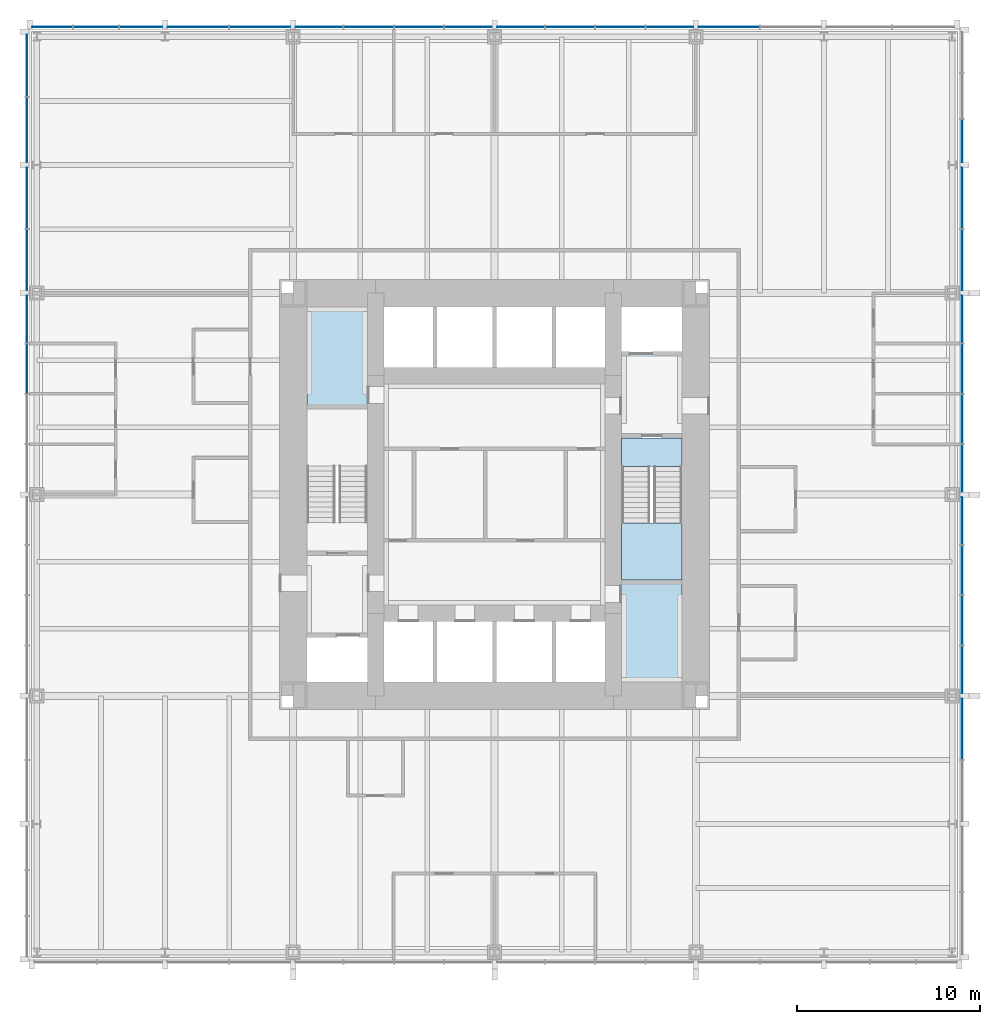
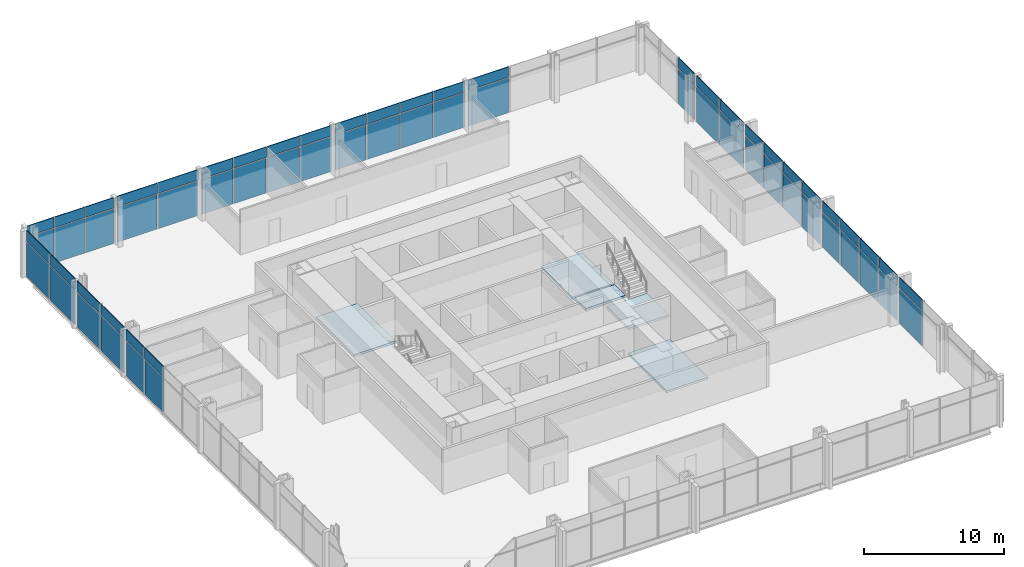
# One storey, part 8 of 12: 64 plates, 5 slabs, 4 elements without a shape of their own.
"""IFC4 building model written with IfcOpenShell, lengths in metres."""

from ifc_helpers import new_model, si_unit, direction, frame, origin, origin_2d, place, context, subcontext, project, spatial, polyline, rectangle, outline, extrude, material, layer, layer_set, type_object, element, aggregate, save


model = new_model("IFC4")

# Units and contexts
model_context = context("Model", 3, precision=1e-05, world=origin(), true_north=direction((0.0, 1.0)))
body_context = subcontext(model_context, "Body", "Model", "MODEL_VIEW")
ifc_project = project(units=[si_unit("LENGTHUNIT", "METRE"), si_unit("AREAUNIT", "SQUARE_METRE"), si_unit("VOLUMEUNIT", "CUBIC_METRE"), si_unit("PLANEANGLEUNIT", "RADIAN"), si_unit("MASSUNIT", "GRAM", prefix="KILO")], contexts=[model_context])

# Site, building, storey
site_placement = place(None, origin())
site = spatial("IfcSite", under=ifc_project, at=site_placement, CompositionType="ELEMENT")
building_placement = place(site_placement, origin())
building = spatial("IfcBuilding", under=site, at=building_placement, Name="Trevanion Tower", CompositionType="ELEMENT")
storey_placement = place(building_placement, frame((0.0, 0.0, 57.0)))
storey = spatial("IfcBuildingStorey", under=building, at=storey_placement, Name="L13", CompositionType="ELEMENT", Elevation=57.0)

# Curtain wall, plates
ifc_material_1 = material(Name="Aluminium and glass", Category="aluminium")
curtain_wall_type = type_object("IfcCurtainWallType", Name="CW1 curtain wall", PredefinedType="USERDEFINED", material=ifc_material_1)
curtain_wall_1_placement = place(storey_placement, origin())
curtain_wall_1 = element("IfcCurtainWall", 1, at=curtain_wall_1_placement, inside=storey, type_object=curtain_wall_type, Name="CW1 L13 0", ObjectType="UNITISED CURTAIN WALL", PredefinedType="USERDEFINED")
ifc_material_2 = material(Name="Aluminium spandrel panel", Category="aluminium")
ifc_layer_1 = layer(ifc_material_2, 0.06005859375)
ifc_layer_set_1 = layer_set([ifc_layer_1], Name="CW1 spandrel panel")
plate_type_1 = type_object("IfcPlateType", Name="CW1 spandrel panel", PredefinedType="CURTAIN_PANEL", material=ifc_layer_set_1)
plate_1_placement = place(storey_placement, frame((25.550048828125, -12.806396484375, 2.997314453125), z_axis=(0.0, 0.0, 1.0), x_axis=(0.0, 1.0, 0.0)))
plate_1 = element("IfcPlate", 2, at=plate_1_placement, type_object=plate_type_1, Name="CW1 panel 4.2", PredefinedType="CURTAIN_PANEL", context=body_context, shape_type="SweptSolid", body=[
    extrude(rectangle(XDim=3.3125, YDim=0.06005859375, at=origin_2d()), origin(), (0.0, 0.0, 1.0), 0.91259765625),
])
plate_2_placement = place(storey_placement, frame((25.550048828125, -9.56884765625, 2.997314453125), z_axis=(0.0, 0.0, 1.0), x_axis=(0.0, 1.0, 0.0)))
plate_2 = element("IfcPlate", 3, at=plate_2_placement, type_object=plate_type_1, Name="CW1 panel 5.2", PredefinedType="CURTAIN_PANEL", context=body_context, shape_type="SweptSolid", body=[
    extrude(rectangle(XDim=2.5625, YDim=0.06005859375, at=origin_2d()), origin(), (0.0, 0.0, 1.0), 0.91259765625),
])
plate_3_placement = place(storey_placement, frame((25.550048828125, -6.875, 2.997314453125), z_axis=(0.0, 0.0, 1.0), x_axis=(0.0, 1.0, 0.0)))
plate_3 = element("IfcPlate", 4, at=plate_3_placement, type_object=plate_type_1, Name="CW1 panel 6.2", PredefinedType="CURTAIN_PANEL", context=body_context, shape_type="SweptSolid", body=[
    extrude(rectangle(XDim=2.675048828125, YDim=0.06005859375, at=origin_2d()), origin(), (0.0, 0.0, 1.0), 0.91259765625),
])
plate_4_placement = place(storey_placement, frame((25.550048828125, -4.125, 2.997314453125), z_axis=(0.0, 0.0, 1.0), x_axis=(0.0, 1.0, 0.0)))
plate_4 = element("IfcPlate", 5, at=plate_4_placement, type_object=plate_type_1, Name="CW1 panel 7.2", PredefinedType="CURTAIN_PANEL", context=body_context, shape_type="SweptSolid", body=[
    extrude(rectangle(XDim=2.675048828125, YDim=0.06005859375, at=origin_2d()), origin(), (0.0, 0.0, 1.0), 0.91259765625),
])
plate_5_placement = place(storey_placement, frame((25.550048828125, -1.43115234375, 2.997314453125), z_axis=(0.0, 0.0, 1.0), x_axis=(0.0, 1.0, 0.0)))
plate_5 = element("IfcPlate", 6, at=plate_5_placement, type_object=plate_type_1, Name="CW1 panel 8.2", PredefinedType="CURTAIN_PANEL", context=body_context, shape_type="SweptSolid", body=[
    extrude(rectangle(XDim=2.5625, YDim=0.06005859375, at=origin_2d()), origin(), (0.0, 0.0, 1.0), 0.91259765625),
])
plate_6_placement = place(storey_placement, frame((25.550048828125, 1.43115234375, 2.997314453125), z_axis=(0.0, 0.0, 1.0), x_axis=(0.0, 1.0, 0.0)))
plate_6 = element("IfcPlate", 7, at=plate_6_placement, type_object=plate_type_1, Name="CW1 panel 9.2", PredefinedType="CURTAIN_PANEL", context=body_context, shape_type="SweptSolid", body=[
    extrude(rectangle(XDim=2.5625, YDim=0.06005859375, at=origin_2d()), origin(), (0.0, 0.0, 1.0), 0.91259765625),
])
plate_7_placement = place(storey_placement, frame((25.550048828125, 4.125, 2.997314453125), z_axis=(0.0, 0.0, 1.0), x_axis=(0.0, 1.0, 0.0)))
plate_7 = element("IfcPlate", 8, at=plate_7_placement, type_object=plate_type_1, Name="CW1 panel 10.2", PredefinedType="CURTAIN_PANEL", context=body_context, shape_type="SweptSolid", body=[
    extrude(rectangle(XDim=2.675048828125, YDim=0.06005859375, at=origin_2d()), origin(), (0.0, 0.0, 1.0), 0.91259765625),
])
plate_8_placement = place(storey_placement, frame((25.550048828125, 6.875, 2.997314453125), z_axis=(0.0, 0.0, 1.0), x_axis=(0.0, 1.0, 0.0)))
plate_8 = element("IfcPlate", 9, at=plate_8_placement, type_object=plate_type_1, Name="CW1 panel 11.2", PredefinedType="CURTAIN_PANEL", context=body_context, shape_type="SweptSolid", body=[
    extrude(rectangle(XDim=2.675048828125, YDim=0.06005859375, at=origin_2d()), origin(), (0.0, 0.0, 1.0), 0.91259765625),
])
plate_9_placement = place(storey_placement, frame((25.550048828125, 9.56884765625, 2.997314453125), z_axis=(0.0, 0.0, 1.0), x_axis=(0.0, 1.0, 0.0)))
plate_9 = element("IfcPlate", 10, at=plate_9_placement, type_object=plate_type_1, Name="CW1 panel 12.2", PredefinedType="CURTAIN_PANEL", context=body_context, shape_type="SweptSolid", body=[
    extrude(rectangle(XDim=2.5625, YDim=0.06005859375, at=origin_2d()), origin(), (0.0, 0.0, 1.0), 0.91259765625),
])
plate_10_placement = place(storey_placement, frame((25.550048828125, 12.80615234375, 2.997314453125), z_axis=(0.0, 0.0, 1.0), x_axis=(0.0, 1.0, 0.0)))
plate_10 = element("IfcPlate", 11, at=plate_10_placement, type_object=plate_type_1, Name="CW1 panel 13.2", PredefinedType="CURTAIN_PANEL", context=body_context, shape_type="SweptSolid", body=[
    extrude(rectangle(XDim=3.3125, YDim=0.06005859375, at=origin_2d()), origin(), (0.0, 0.0, 1.0), 0.91259765625),
])
plate_11_placement = place(storey_placement, frame((25.550048828125, 16.19384765625, 2.997314453125), z_axis=(0.0, 0.0, 1.0), x_axis=(0.0, 1.0, 0.0)))
plate_11 = element("IfcPlate", 12, at=plate_11_placement, type_object=plate_type_1, Name="CW1 panel 14.2", PredefinedType="CURTAIN_PANEL", context=body_context, shape_type="SweptSolid", body=[
    extrude(rectangle(XDim=3.3125, YDim=0.06005859375, at=origin_2d()), origin(), (0.0, 0.0, 1.0), 0.91259765625),
])
plate_12_placement = place(storey_placement, frame((25.550048828125, 19.314697265625, 2.997314453125), z_axis=(0.0, 0.0, 1.0), x_axis=(0.0, 1.0, 0.0)))
plate_12 = element("IfcPlate", 13, at=plate_12_placement, type_object=plate_type_1, Name="CW1 panel 15.2", PredefinedType="CURTAIN_PANEL", context=body_context, shape_type="SweptSolid", body=[
    extrude(rectangle(XDim=2.3291015625, YDim=0.06005859375, at=origin_2d()), origin(), (0.0, 0.0, 1.0), 0.91259765625),
])

curtain_wall_2_placement = place(storey_placement, origin())
curtain_wall_2 = element("IfcCurtainWall", 14, at=curtain_wall_2_placement, inside=storey, type_object=curtain_wall_type, Name="CW1 L13 1", ObjectType="UNITISED CURTAIN WALL", PredefinedType="USERDEFINED")
plate_13_placement = place(storey_placement, frame((12.806396484375, 25.550048828125, 2.997314453125), z_axis=(0.0, 0.0, 1.0), x_axis=(-1.0, 0.0, 0.0)))
plate_13 = element("IfcPlate", 15, at=plate_13_placement, type_object=plate_type_1, Name="CW1 panel 4.2", PredefinedType="CURTAIN_PANEL", context=body_context, shape_type="SweptSolid", body=[
    extrude(rectangle(XDim=3.3125, YDim=0.06005859375, at=origin_2d()), origin(), (0.0, 0.0, 1.0), 0.91259765625),
])
plate_14_placement = place(storey_placement, frame((9.56884765625, 25.550048828125, 2.997314453125), z_axis=(0.0, 0.0, 1.0), x_axis=(-1.0, 0.0, 0.0)))
plate_14 = element("IfcPlate", 16, at=plate_14_placement, type_object=plate_type_1, Name="CW1 panel 5.2", PredefinedType="CURTAIN_PANEL", context=body_context, shape_type="SweptSolid", body=[
    extrude(rectangle(XDim=2.5625, YDim=0.06005859375, at=origin_2d()), origin(), (0.0, 0.0, 1.0), 0.91259765625),
])
plate_15_placement = place(storey_placement, frame((6.875, 25.550048828125, 2.997314453125), z_axis=(0.0, 0.0, 1.0), x_axis=(-1.0, 0.0, 0.0)))
plate_15 = element("IfcPlate", 17, at=plate_15_placement, type_object=plate_type_1, Name="CW1 panel 6.2", PredefinedType="CURTAIN_PANEL", context=body_context, shape_type="SweptSolid", body=[
    extrude(rectangle(XDim=2.675048828125, YDim=0.06005859375, at=origin_2d()), origin(), (0.0, 0.0, 1.0), 0.91259765625),
])
plate_16_placement = place(storey_placement, frame((4.125, 25.550048828125, 2.997314453125), z_axis=(0.0, 0.0, 1.0), x_axis=(-1.0, 0.0, 0.0)))
plate_16 = element("IfcPlate", 18, at=plate_16_placement, type_object=plate_type_1, Name="CW1 panel 7.2", PredefinedType="CURTAIN_PANEL", context=body_context, shape_type="SweptSolid", body=[
    extrude(rectangle(XDim=2.675048828125, YDim=0.06005859375, at=origin_2d()), origin(), (0.0, 0.0, 1.0), 0.91259765625),
])
plate_17_placement = place(storey_placement, frame((1.43115234375, 25.550048828125, 2.997314453125), z_axis=(0.0, 0.0, 1.0), x_axis=(-1.0, 0.0, 0.0)))
plate_17 = element("IfcPlate", 19, at=plate_17_placement, type_object=plate_type_1, Name="CW1 panel 8.2", PredefinedType="CURTAIN_PANEL", context=body_context, shape_type="SweptSolid", body=[
    extrude(rectangle(XDim=2.5625, YDim=0.06005859375, at=origin_2d()), origin(), (0.0, 0.0, 1.0), 0.91259765625),
])
plate_18_placement = place(storey_placement, frame((-1.43115234375, 25.550048828125, 2.997314453125), z_axis=(0.0, 0.0, 1.0), x_axis=(-1.0, 0.0, 0.0)))
plate_18 = element("IfcPlate", 20, at=plate_18_placement, type_object=plate_type_1, Name="CW1 panel 9.2", PredefinedType="CURTAIN_PANEL", context=body_context, shape_type="SweptSolid", body=[
    extrude(rectangle(XDim=2.5625, YDim=0.06005859375, at=origin_2d()), origin(), (0.0, 0.0, 1.0), 0.91259765625),
])
plate_19_placement = place(storey_placement, frame((-4.125, 25.550048828125, 2.997314453125), z_axis=(0.0, 0.0, 1.0), x_axis=(-1.0, 0.0, 0.0)))
plate_19 = element("IfcPlate", 21, at=plate_19_placement, type_object=plate_type_1, Name="CW1 panel 10.2", PredefinedType="CURTAIN_PANEL", context=body_context, shape_type="SweptSolid", body=[
    extrude(rectangle(XDim=2.675048828125, YDim=0.06005859375, at=origin_2d()), origin(), (0.0, 0.0, 1.0), 0.91259765625),
])
plate_20_placement = place(storey_placement, frame((-6.875, 25.550048828125, 2.997314453125), z_axis=(0.0, 0.0, 1.0), x_axis=(-1.0, 0.0, 0.0)))
plate_20 = element("IfcPlate", 22, at=plate_20_placement, type_object=plate_type_1, Name="CW1 panel 11.2", PredefinedType="CURTAIN_PANEL", context=body_context, shape_type="SweptSolid", body=[
    extrude(rectangle(XDim=2.675048828125, YDim=0.06005859375, at=origin_2d()), origin(), (0.0, 0.0, 1.0), 0.91259765625),
])
plate_21_placement = place(storey_placement, frame((-9.56884765625, 25.550048828125, 2.997314453125), z_axis=(0.0, 0.0, 1.0), x_axis=(-1.0, 0.0, 0.0)))
plate_21 = element("IfcPlate", 23, at=plate_21_placement, type_object=plate_type_1, Name="CW1 panel 12.2", PredefinedType="CURTAIN_PANEL", context=body_context, shape_type="SweptSolid", body=[
    extrude(rectangle(XDim=2.5625, YDim=0.06005859375, at=origin_2d()), origin(), (0.0, 0.0, 1.0), 0.91259765625),
])
plate_22_placement = place(storey_placement, frame((-12.80615234375, 25.550048828125, 2.997314453125), z_axis=(0.0, 0.0, 1.0), x_axis=(-1.0, 0.0, 0.0)))
plate_22 = element("IfcPlate", 24, at=plate_22_placement, type_object=plate_type_1, Name="CW1 panel 13.2", PredefinedType="CURTAIN_PANEL", context=body_context, shape_type="SweptSolid", body=[
    extrude(rectangle(XDim=3.3125, YDim=0.06005859375, at=origin_2d()), origin(), (0.0, 0.0, 1.0), 0.91259765625),
])
plate_23_placement = place(storey_placement, frame((-16.19384765625, 25.550048828125, 2.997314453125), z_axis=(0.0, 0.0, 1.0), x_axis=(-1.0, 0.0, 0.0)))
plate_23 = element("IfcPlate", 25, at=plate_23_placement, type_object=plate_type_1, Name="CW1 panel 14.2", PredefinedType="CURTAIN_PANEL", context=body_context, shape_type="SweptSolid", body=[
    extrude(rectangle(XDim=3.3125, YDim=0.06005859375, at=origin_2d()), origin(), (0.0, 0.0, 1.0), 0.91259765625),
])
plate_24_placement = place(storey_placement, frame((-19.314697265625, 25.550048828125, 2.997314453125), z_axis=(0.0, 0.0, 1.0), x_axis=(-1.0, 0.0, 0.0)))
plate_24 = element("IfcPlate", 26, at=plate_24_placement, type_object=plate_type_1, Name="CW1 panel 15.2", PredefinedType="CURTAIN_PANEL", context=body_context, shape_type="SweptSolid", body=[
    extrude(rectangle(XDim=2.3291015625, YDim=0.06005859375, at=origin_2d()), origin(), (0.0, 0.0, 1.0), 0.91259765625),
])
plate_25_placement = place(storey_placement, frame((-21.77490234375, 25.550048828125, 2.997314453125), z_axis=(0.0, 0.0, 1.0), x_axis=(-1.0, 0.0, 0.0)))
plate_25 = element("IfcPlate", 27, at=plate_25_placement, type_object=plate_type_1, Name="CW1 panel 16.2", PredefinedType="CURTAIN_PANEL", context=body_context, shape_type="SweptSolid", body=[
    extrude(rectangle(XDim=2.441650390625, YDim=0.06005859375, at=origin_2d()), origin(), (0.0, 0.0, 1.0), 0.91259765625),
])
plate_26_placement = place(storey_placement, frame((-24.160400390625, 25.550048828125, 2.997314453125), z_axis=(0.0, 0.0, 1.0), x_axis=(-1.0, 0.0, 0.0)))
plate_26 = element("IfcPlate", 28, at=plate_26_placement, type_object=plate_type_1, Name="CW1 panel 17.2", PredefinedType="CURTAIN_PANEL", context=body_context, shape_type="SweptSolid", body=[
    extrude(rectangle(XDim=2.17919921875, YDim=0.06005859375, at=origin_2d()), origin(), (0.0, 0.0, 1.0), 0.91259765625),
])

curtain_wall_3_placement = place(storey_placement, origin())
curtain_wall_3 = element("IfcCurtainWall", 29, at=curtain_wall_3_placement, inside=storey, type_object=curtain_wall_type, Name="CW1 L13 2", ObjectType="UNITISED CURTAIN WALL", PredefinedType="USERDEFINED")
plate_27_placement = place(storey_placement, frame((-25.550048828125, 23.433837890625, 2.997314453125), z_axis=(0.0, 0.0, 1.0), x_axis=(0.0, -1.0, 0.0)))
plate_27 = element("IfcPlate", 30, at=plate_27_placement, type_object=plate_type_1, Name="CW1 panel 1.2", PredefinedType="CURTAIN_PANEL", context=body_context, shape_type="SweptSolid", body=[
    extrude(rectangle(XDim=3.37255859375, YDim=0.06005859375, at=origin_2d()), origin(), (0.0, 0.0, 1.0), 0.91259765625),
])
plate_28_placement = place(storey_placement, frame((-25.550048828125, 19.911376953125, 2.997314453125), z_axis=(0.0, 0.0, 1.0), x_axis=(0.0, -1.0, 0.0)))
plate_28 = element("IfcPlate", 31, at=plate_28_placement, type_object=plate_type_1, Name="CW1 panel 2.2", PredefinedType="CURTAIN_PANEL", context=body_context, shape_type="SweptSolid", body=[
    extrude(rectangle(XDim=3.5224609375, YDim=0.06005859375, at=origin_2d()), origin(), (0.0, 0.0, 1.0), 0.91259765625),
])
plate_29_placement = place(storey_placement, frame((-25.550048828125, 16.19384765625, 2.997314453125), z_axis=(0.0, 0.0, 1.0), x_axis=(0.0, -1.0, 0.0)))
plate_29 = element("IfcPlate", 32, at=plate_29_placement, type_object=plate_type_1, Name="CW1 panel 3.2", PredefinedType="CURTAIN_PANEL", context=body_context, shape_type="SweptSolid", body=[
    extrude(rectangle(XDim=3.3125, YDim=0.06005859375, at=origin_2d()), origin(), (0.0, 0.0, 1.0), 0.91259765625),
])
plate_30_placement = place(storey_placement, frame((-25.550048828125, 12.806396484375, 2.997314453125), z_axis=(0.0, 0.0, 1.0), x_axis=(0.0, -1.0, 0.0)))
plate_30 = element("IfcPlate", 33, at=plate_30_placement, type_object=plate_type_1, Name="CW1 panel 4.2", PredefinedType="CURTAIN_PANEL", context=body_context, shape_type="SweptSolid", body=[
    extrude(rectangle(XDim=3.3125, YDim=0.06005859375, at=origin_2d()), origin(), (0.0, 0.0, 1.0), 0.91259765625),
])
plate_31_placement = place(storey_placement, frame((-25.550048828125, 9.56884765625, 2.997314453125), z_axis=(0.0, 0.0, 1.0), x_axis=(0.0, -1.0, 0.0)))
plate_31 = element("IfcPlate", 34, at=plate_31_placement, type_object=plate_type_1, Name="CW1 panel 5.2", PredefinedType="CURTAIN_PANEL", context=body_context, shape_type="SweptSolid", body=[
    extrude(rectangle(XDim=2.5625, YDim=0.06005859375, at=origin_2d()), origin(), (0.0, 0.0, 1.0), 0.91259765625),
])
plate_32_placement = place(storey_placement, frame((-25.550048828125, 6.875, 2.997314453125), z_axis=(0.0, 0.0, 1.0), x_axis=(0.0, -1.0, 0.0)))
plate_32 = element("IfcPlate", 35, at=plate_32_placement, type_object=plate_type_1, Name="CW1 panel 6.2", PredefinedType="CURTAIN_PANEL", context=body_context, shape_type="SweptSolid", body=[
    extrude(rectangle(XDim=2.675048828125, YDim=0.06005859375, at=origin_2d()), origin(), (0.0, 0.0, 1.0), 0.91259765625),
])

# Plate
ifc_material_3 = material(Name="Insulating glass unit", Category="glass")
ifc_layer_2 = layer(ifc_material_3, 0.028076171875)
ifc_layer_set_2 = layer_set([ifc_layer_2], Name="CW1 vision panel")
plate_type_2 = type_object("IfcPlateType", Name="CW1 vision panel", PredefinedType="CURTAIN_PANEL", material=ifc_layer_set_2)
plate_33_placement = place(storey_placement, frame((25.550048828125, -12.806396484375, -0.114990234375), z_axis=(0.0, 0.0, 1.0), x_axis=(0.0, 1.0, 0.0)))
plate_33 = element("IfcPlate", 36, at=plate_33_placement, type_object=plate_type_2, Name="CW1 panel 4.1", PredefinedType="CURTAIN_PANEL", context=body_context, shape_type="SweptSolid", body=[
    extrude(rectangle(XDim=3.3125, YDim=0.028076171875, at=origin_2d()), origin(), (0.0, 0.0, 1.0), 3.03759765625),
])

plate_34_placement = place(storey_placement, frame((25.550048828125, -9.56884765625, -0.114990234375), z_axis=(0.0, 0.0, 1.0), x_axis=(0.0, 1.0, 0.0)))
plate_34 = element("IfcPlate", 37, at=plate_34_placement, type_object=plate_type_2, Name="CW1 panel 5.1", PredefinedType="CURTAIN_PANEL", context=body_context, shape_type="SweptSolid", body=[
    extrude(rectangle(XDim=2.5625, YDim=0.028076171875, at=origin_2d()), origin(), (0.0, 0.0, 1.0), 3.03759765625),
])

plate_35_placement = place(storey_placement, frame((25.550048828125, -6.875, -0.114990234375), z_axis=(0.0, 0.0, 1.0), x_axis=(0.0, 1.0, 0.0)))
plate_35 = element("IfcPlate", 38, at=plate_35_placement, type_object=plate_type_2, Name="CW1 panel 6.1", PredefinedType="CURTAIN_PANEL", context=body_context, shape_type="SweptSolid", body=[
    extrude(rectangle(XDim=2.675048828125, YDim=0.028076171875, at=origin_2d()), origin(), (0.0, 0.0, 1.0), 3.03759765625),
])

plate_36_placement = place(storey_placement, frame((25.550048828125, -4.125, -0.114990234375), z_axis=(0.0, 0.0, 1.0), x_axis=(0.0, 1.0, 0.0)))
plate_36 = element("IfcPlate", 39, at=plate_36_placement, type_object=plate_type_2, Name="CW1 panel 7.1", PredefinedType="CURTAIN_PANEL", context=body_context, shape_type="SweptSolid", body=[
    extrude(rectangle(XDim=2.675048828125, YDim=0.028076171875, at=origin_2d()), origin(), (0.0, 0.0, 1.0), 3.03759765625),
])

plate_37_placement = place(storey_placement, frame((25.550048828125, -1.43115234375, -0.114990234375), z_axis=(0.0, 0.0, 1.0), x_axis=(0.0, 1.0, 0.0)))
plate_37 = element("IfcPlate", 40, at=plate_37_placement, type_object=plate_type_2, Name="CW1 panel 8.1", PredefinedType="CURTAIN_PANEL", context=body_context, shape_type="SweptSolid", body=[
    extrude(rectangle(XDim=2.5625, YDim=0.028076171875, at=origin_2d()), origin(), (0.0, 0.0, 1.0), 3.03759765625),
])

plate_38_placement = place(storey_placement, frame((25.550048828125, 1.43115234375, -0.114990234375), z_axis=(0.0, 0.0, 1.0), x_axis=(0.0, 1.0, 0.0)))
plate_38 = element("IfcPlate", 41, at=plate_38_placement, type_object=plate_type_2, Name="CW1 panel 9.1", PredefinedType="CURTAIN_PANEL", context=body_context, shape_type="SweptSolid", body=[
    extrude(rectangle(XDim=2.5625, YDim=0.028076171875, at=origin_2d()), origin(), (0.0, 0.0, 1.0), 3.03759765625),
])

plate_39_placement = place(storey_placement, frame((25.550048828125, 4.125, -0.114990234375), z_axis=(0.0, 0.0, 1.0), x_axis=(0.0, 1.0, 0.0)))
plate_39 = element("IfcPlate", 42, at=plate_39_placement, type_object=plate_type_2, Name="CW1 panel 10.1", PredefinedType="CURTAIN_PANEL", context=body_context, shape_type="SweptSolid", body=[
    extrude(rectangle(XDim=2.675048828125, YDim=0.028076171875, at=origin_2d()), origin(), (0.0, 0.0, 1.0), 3.03759765625),
])

plate_40_placement = place(storey_placement, frame((25.550048828125, 6.875, -0.114990234375), z_axis=(0.0, 0.0, 1.0), x_axis=(0.0, 1.0, 0.0)))
plate_40 = element("IfcPlate", 43, at=plate_40_placement, type_object=plate_type_2, Name="CW1 panel 11.1", PredefinedType="CURTAIN_PANEL", context=body_context, shape_type="SweptSolid", body=[
    extrude(rectangle(XDim=2.675048828125, YDim=0.028076171875, at=origin_2d()), origin(), (0.0, 0.0, 1.0), 3.03759765625),
])

plate_41_placement = place(storey_placement, frame((25.550048828125, 9.56884765625, -0.114990234375), z_axis=(0.0, 0.0, 1.0), x_axis=(0.0, 1.0, 0.0)))
plate_41 = element("IfcPlate", 44, at=plate_41_placement, type_object=plate_type_2, Name="CW1 panel 12.1", PredefinedType="CURTAIN_PANEL", context=body_context, shape_type="SweptSolid", body=[
    extrude(rectangle(XDim=2.5625, YDim=0.028076171875, at=origin_2d()), origin(), (0.0, 0.0, 1.0), 3.03759765625),
])

plate_42_placement = place(storey_placement, frame((25.550048828125, 12.80615234375, -0.114990234375), z_axis=(0.0, 0.0, 1.0), x_axis=(0.0, 1.0, 0.0)))
plate_42 = element("IfcPlate", 45, at=plate_42_placement, type_object=plate_type_2, Name="CW1 panel 13.1", PredefinedType="CURTAIN_PANEL", context=body_context, shape_type="SweptSolid", body=[
    extrude(rectangle(XDim=3.3125, YDim=0.028076171875, at=origin_2d()), origin(), (0.0, 0.0, 1.0), 3.03759765625),
])

plate_43_placement = place(storey_placement, frame((25.550048828125, 16.19384765625, -0.114990234375), z_axis=(0.0, 0.0, 1.0), x_axis=(0.0, 1.0, 0.0)))
plate_43 = element("IfcPlate", 46, at=plate_43_placement, type_object=plate_type_2, Name="CW1 panel 14.1", PredefinedType="CURTAIN_PANEL", context=body_context, shape_type="SweptSolid", body=[
    extrude(rectangle(XDim=3.3125, YDim=0.028076171875, at=origin_2d()), origin(), (0.0, 0.0, 1.0), 3.03759765625),
])

plate_44_placement = place(storey_placement, frame((25.550048828125, 19.314697265625, -0.114990234375), z_axis=(0.0, 0.0, 1.0), x_axis=(0.0, 1.0, 0.0)))
plate_44 = element("IfcPlate", 47, at=plate_44_placement, type_object=plate_type_2, Name="CW1 panel 15.1", PredefinedType="CURTAIN_PANEL", context=body_context, shape_type="SweptSolid", body=[
    extrude(rectangle(XDim=2.3291015625, YDim=0.028076171875, at=origin_2d()), origin(), (0.0, 0.0, 1.0), 3.03759765625),
])

aggregate(curtain_wall_1, [plate_33, plate_1, plate_34, plate_2, plate_35, plate_3, plate_36, plate_4, plate_37, plate_5, plate_38, plate_6, plate_39, plate_7, plate_40, plate_8, plate_41, plate_9, plate_42, plate_10, plate_43, plate_11, plate_44, plate_12])

plate_45_placement = place(storey_placement, frame((12.806396484375, 25.550048828125, -0.114990234375), z_axis=(0.0, 0.0, 1.0), x_axis=(-1.0, 0.0, 0.0)))
plate_45 = element("IfcPlate", 48, at=plate_45_placement, type_object=plate_type_2, Name="CW1 panel 4.1", PredefinedType="CURTAIN_PANEL", context=body_context, shape_type="SweptSolid", body=[
    extrude(rectangle(XDim=3.3125, YDim=0.028076171875, at=origin_2d()), origin(), (0.0, 0.0, 1.0), 3.03759765625),
])

plate_46_placement = place(storey_placement, frame((9.56884765625, 25.550048828125, -0.114990234375), z_axis=(0.0, 0.0, 1.0), x_axis=(-1.0, 0.0, 0.0)))
plate_46 = element("IfcPlate", 49, at=plate_46_placement, type_object=plate_type_2, Name="CW1 panel 5.1", PredefinedType="CURTAIN_PANEL", context=body_context, shape_type="SweptSolid", body=[
    extrude(rectangle(XDim=2.5625, YDim=0.028076171875, at=origin_2d()), origin(), (0.0, 0.0, 1.0), 3.03759765625),
])

plate_47_placement = place(storey_placement, frame((6.875, 25.550048828125, -0.114990234375), z_axis=(0.0, 0.0, 1.0), x_axis=(-1.0, 0.0, 0.0)))
plate_47 = element("IfcPlate", 50, at=plate_47_placement, type_object=plate_type_2, Name="CW1 panel 6.1", PredefinedType="CURTAIN_PANEL", context=body_context, shape_type="SweptSolid", body=[
    extrude(rectangle(XDim=2.675048828125, YDim=0.028076171875, at=origin_2d()), origin(), (0.0, 0.0, 1.0), 3.03759765625),
])

plate_48_placement = place(storey_placement, frame((4.125, 25.550048828125, -0.114990234375), z_axis=(0.0, 0.0, 1.0), x_axis=(-1.0, 0.0, 0.0)))
plate_48 = element("IfcPlate", 51, at=plate_48_placement, type_object=plate_type_2, Name="CW1 panel 7.1", PredefinedType="CURTAIN_PANEL", context=body_context, shape_type="SweptSolid", body=[
    extrude(rectangle(XDim=2.675048828125, YDim=0.028076171875, at=origin_2d()), origin(), (0.0, 0.0, 1.0), 3.03759765625),
])

plate_49_placement = place(storey_placement, frame((1.43115234375, 25.550048828125, -0.114990234375), z_axis=(0.0, 0.0, 1.0), x_axis=(-1.0, 0.0, 0.0)))
plate_49 = element("IfcPlate", 52, at=plate_49_placement, type_object=plate_type_2, Name="CW1 panel 8.1", PredefinedType="CURTAIN_PANEL", context=body_context, shape_type="SweptSolid", body=[
    extrude(rectangle(XDim=2.5625, YDim=0.028076171875, at=origin_2d()), origin(), (0.0, 0.0, 1.0), 3.03759765625),
])

plate_50_placement = place(storey_placement, frame((-1.43115234375, 25.550048828125, -0.114990234375), z_axis=(0.0, 0.0, 1.0), x_axis=(-1.0, 0.0, 0.0)))
plate_50 = element("IfcPlate", 53, at=plate_50_placement, type_object=plate_type_2, Name="CW1 panel 9.1", PredefinedType="CURTAIN_PANEL", context=body_context, shape_type="SweptSolid", body=[
    extrude(rectangle(XDim=2.5625, YDim=0.028076171875, at=origin_2d()), origin(), (0.0, 0.0, 1.0), 3.03759765625),
])

plate_51_placement = place(storey_placement, frame((-4.125, 25.550048828125, -0.114990234375), z_axis=(0.0, 0.0, 1.0), x_axis=(-1.0, 0.0, 0.0)))
plate_51 = element("IfcPlate", 54, at=plate_51_placement, type_object=plate_type_2, Name="CW1 panel 10.1", PredefinedType="CURTAIN_PANEL", context=body_context, shape_type="SweptSolid", body=[
    extrude(rectangle(XDim=2.675048828125, YDim=0.028076171875, at=origin_2d()), origin(), (0.0, 0.0, 1.0), 3.03759765625),
])

plate_52_placement = place(storey_placement, frame((-6.875, 25.550048828125, -0.114990234375), z_axis=(0.0, 0.0, 1.0), x_axis=(-1.0, 0.0, 0.0)))
plate_52 = element("IfcPlate", 55, at=plate_52_placement, type_object=plate_type_2, Name="CW1 panel 11.1", PredefinedType="CURTAIN_PANEL", context=body_context, shape_type="SweptSolid", body=[
    extrude(rectangle(XDim=2.675048828125, YDim=0.028076171875, at=origin_2d()), origin(), (0.0, 0.0, 1.0), 3.03759765625),
])

plate_53_placement = place(storey_placement, frame((-9.56884765625, 25.550048828125, -0.114990234375), z_axis=(0.0, 0.0, 1.0), x_axis=(-1.0, 0.0, 0.0)))
plate_53 = element("IfcPlate", 56, at=plate_53_placement, type_object=plate_type_2, Name="CW1 panel 12.1", PredefinedType="CURTAIN_PANEL", context=body_context, shape_type="SweptSolid", body=[
    extrude(rectangle(XDim=2.5625, YDim=0.028076171875, at=origin_2d()), origin(), (0.0, 0.0, 1.0), 3.03759765625),
])

plate_54_placement = place(storey_placement, frame((-12.80615234375, 25.550048828125, -0.114990234375), z_axis=(0.0, 0.0, 1.0), x_axis=(-1.0, 0.0, 0.0)))
plate_54 = element("IfcPlate", 57, at=plate_54_placement, type_object=plate_type_2, Name="CW1 panel 13.1", PredefinedType="CURTAIN_PANEL", context=body_context, shape_type="SweptSolid", body=[
    extrude(rectangle(XDim=3.3125, YDim=0.028076171875, at=origin_2d()), origin(), (0.0, 0.0, 1.0), 3.03759765625),
])

plate_55_placement = place(storey_placement, frame((-16.19384765625, 25.550048828125, -0.114990234375), z_axis=(0.0, 0.0, 1.0), x_axis=(-1.0, 0.0, 0.0)))
plate_55 = element("IfcPlate", 58, at=plate_55_placement, type_object=plate_type_2, Name="CW1 panel 14.1", PredefinedType="CURTAIN_PANEL", context=body_context, shape_type="SweptSolid", body=[
    extrude(rectangle(XDim=3.3125, YDim=0.028076171875, at=origin_2d()), origin(), (0.0, 0.0, 1.0), 3.03759765625),
])

plate_56_placement = place(storey_placement, frame((-19.314697265625, 25.550048828125, -0.114990234375), z_axis=(0.0, 0.0, 1.0), x_axis=(-1.0, 0.0, 0.0)))
plate_56 = element("IfcPlate", 59, at=plate_56_placement, type_object=plate_type_2, Name="CW1 panel 15.1", PredefinedType="CURTAIN_PANEL", context=body_context, shape_type="SweptSolid", body=[
    extrude(rectangle(XDim=2.3291015625, YDim=0.028076171875, at=origin_2d()), origin(), (0.0, 0.0, 1.0), 3.03759765625),
])

plate_57_placement = place(storey_placement, frame((-21.77490234375, 25.550048828125, -0.114990234375), z_axis=(0.0, 0.0, 1.0), x_axis=(-1.0, 0.0, 0.0)))
plate_57 = element("IfcPlate", 60, at=plate_57_placement, type_object=plate_type_2, Name="CW1 panel 16.1", PredefinedType="CURTAIN_PANEL", context=body_context, shape_type="SweptSolid", body=[
    extrude(rectangle(XDim=2.441650390625, YDim=0.028076171875, at=origin_2d()), origin(), (0.0, 0.0, 1.0), 3.03759765625),
])

plate_58_placement = place(storey_placement, frame((-24.160400390625, 25.550048828125, -0.114990234375), z_axis=(0.0, 0.0, 1.0), x_axis=(-1.0, 0.0, 0.0)))
plate_58 = element("IfcPlate", 61, at=plate_58_placement, type_object=plate_type_2, Name="CW1 panel 17.1", PredefinedType="CURTAIN_PANEL", context=body_context, shape_type="SweptSolid", body=[
    extrude(rectangle(XDim=2.17919921875, YDim=0.028076171875, at=origin_2d()), origin(), (0.0, 0.0, 1.0), 3.03759765625),
])

aggregate(curtain_wall_2, [plate_45, plate_13, plate_46, plate_14, plate_47, plate_15, plate_48, plate_16, plate_49, plate_17, plate_50, plate_18, plate_51, plate_19, plate_52, plate_20, plate_53, plate_21, plate_54, plate_22, plate_55, plate_23, plate_56, plate_24, plate_57, plate_25, plate_58, plate_26])

plate_59_placement = place(storey_placement, frame((-25.550048828125, 23.433837890625, -0.114990234375), z_axis=(0.0, 0.0, 1.0), x_axis=(0.0, -1.0, 0.0)))
plate_59 = element("IfcPlate", 62, at=plate_59_placement, type_object=plate_type_2, Name="CW1 panel 1.1", PredefinedType="CURTAIN_PANEL", context=body_context, shape_type="SweptSolid", body=[
    extrude(rectangle(XDim=3.37255859375, YDim=0.028076171875, at=origin_2d()), origin(), (0.0, 0.0, 1.0), 3.03759765625),
])

plate_60_placement = place(storey_placement, frame((-25.550048828125, 19.911376953125, -0.114990234375), z_axis=(0.0, 0.0, 1.0), x_axis=(0.0, -1.0, 0.0)))
plate_60 = element("IfcPlate", 63, at=plate_60_placement, type_object=plate_type_2, Name="CW1 panel 2.1", PredefinedType="CURTAIN_PANEL", context=body_context, shape_type="SweptSolid", body=[
    extrude(rectangle(XDim=3.5224609375, YDim=0.028076171875, at=origin_2d()), origin(), (0.0, 0.0, 1.0), 3.03759765625),
])

plate_61_placement = place(storey_placement, frame((-25.550048828125, 16.19384765625, -0.114990234375), z_axis=(0.0, 0.0, 1.0), x_axis=(0.0, -1.0, 0.0)))
plate_61 = element("IfcPlate", 64, at=plate_61_placement, type_object=plate_type_2, Name="CW1 panel 3.1", PredefinedType="CURTAIN_PANEL", context=body_context, shape_type="SweptSolid", body=[
    extrude(rectangle(XDim=3.3125, YDim=0.028076171875, at=origin_2d()), origin(), (0.0, 0.0, 1.0), 3.03759765625),
])

plate_62_placement = place(storey_placement, frame((-25.550048828125, 12.806396484375, -0.114990234375), z_axis=(0.0, 0.0, 1.0), x_axis=(0.0, -1.0, 0.0)))
plate_62 = element("IfcPlate", 65, at=plate_62_placement, type_object=plate_type_2, Name="CW1 panel 4.1", PredefinedType="CURTAIN_PANEL", context=body_context, shape_type="SweptSolid", body=[
    extrude(rectangle(XDim=3.3125, YDim=0.028076171875, at=origin_2d()), origin(), (0.0, 0.0, 1.0), 3.03759765625),
])

plate_63_placement = place(storey_placement, frame((-25.550048828125, 9.56884765625, -0.114990234375), z_axis=(0.0, 0.0, 1.0), x_axis=(0.0, -1.0, 0.0)))
plate_63 = element("IfcPlate", 66, at=plate_63_placement, type_object=plate_type_2, Name="CW1 panel 5.1", PredefinedType="CURTAIN_PANEL", context=body_context, shape_type="SweptSolid", body=[
    extrude(rectangle(XDim=2.5625, YDim=0.028076171875, at=origin_2d()), origin(), (0.0, 0.0, 1.0), 3.03759765625),
])

plate_64_placement = place(storey_placement, frame((-25.550048828125, 6.875, -0.114990234375), z_axis=(0.0, 0.0, 1.0), x_axis=(0.0, -1.0, 0.0)))
plate_64 = element("IfcPlate", 67, at=plate_64_placement, type_object=plate_type_2, Name="CW1 panel 6.1", PredefinedType="CURTAIN_PANEL", context=body_context, shape_type="SweptSolid", body=[
    extrude(rectangle(XDim=2.675048828125, YDim=0.028076171875, at=origin_2d()), origin(), (0.0, 0.0, 1.0), 3.03759765625),
])

aggregate(curtain_wall_3, [plate_59, plate_27, plate_60, plate_28, plate_61, plate_29, plate_62, plate_30, plate_63, plate_31, plate_64, plate_32])

# Slabs
ifc_material_4 = material(Name="Concrete 5,000 psi", Category="concrete")
ifc_layer_3 = layer(ifc_material_4, 0.199951171875)
ifc_layer_set_3 = layer_set([ifc_layer_3], Name="SL2 core floor 200")
slab_type_1 = type_object("IfcSlabType", Name="SL2 core floor 200", PredefinedType="FLOOR", material=ifc_layer_set_3)
slab_1_placement = place(storey_placement, frame((0.0, 0.0, -0.199951171875)))
element("IfcSlab", 68, at=slab_1_placement, inside=storey, type_object=slab_type_1, Name="SL2 L13 core floor 1", PredefinedType="FLOOR", context=body_context, shape_type="SweptSolid", body=[
    extrude(outline(polyline([(10.25, -4.804931640625), (10.25, -10.25), (6.830078125, -10.25), (6.830078125, -4.804931640625), (10.25, -4.804931640625)])), origin(), (0.0, 0.0, 1.0), 0.199951171875),
])
slab_2_placement = place(storey_placement, frame((0.0, 0.0, -0.199951171875)))
element("IfcSlab", 69, at=slab_2_placement, inside=storey, type_object=slab_type_1, Name="SL2 L13 core floor 4", PredefinedType="FLOOR", context=body_context, shape_type="SweptSolid", body=[
    extrude(outline(polyline([(6.830078125, 3.205078125), (6.830078125, 7.695068359375), (10.25, 7.695068359375), (10.25, 3.205078125), (6.830078125, 3.205078125)])), origin(), (0.0, 0.0, 1.0), 0.199951171875),
])
slab_3_placement = place(storey_placement, frame((0.0, 0.0, -0.199951171875)))
element("IfcSlab", 70, at=slab_3_placement, inside=storey, type_object=slab_type_1, Name="SL2 L13 core floor 5", PredefinedType="FLOOR", context=body_context, shape_type="SweptSolid", body=[
    extrude(outline(polyline([(-6.830078125, 4.804931640625), (-10.25, 4.804931640625), (-10.25, 10.25), (-6.830078125, 10.25), (-6.830078125, 4.804931640625)])), origin(), (0.0, 0.0, 1.0), 0.199951171875),
])

# Stair, slabs
ifc_material_5 = material(Name="Concrete 5,000 psi on steel stringers", Category="concrete")
stair_type = type_object("IfcStairType", Name="ST stair", PredefinedType="HALF_TURN_STAIR", material=ifc_material_5)
stair_placement = place(storey_placement, origin())
stair = element("IfcStair", 71, at=stair_placement, inside=storey, type_object=stair_type, Name="ST1 L13", PredefinedType="HALF_TURN_STAIR")
ifc_material_6 = material(Name="Concrete 5,000 psi in steel pan", Category="concrete")
ifc_layer_4 = layer(ifc_material_6, 0.199951171875)
ifc_layer_set_4 = layer_set([ifc_layer_4], Name="STL stair landing 200")
slab_type_2 = type_object("IfcSlabType", Name="STL stair landing 200", PredefinedType="LANDING", material=ifc_layer_set_4)
slab_4_placement = place(storey_placement, frame((0.0, 0.0, -0.199951171875)))
slab_4 = element("IfcSlab", 72, at=slab_4_placement, type_object=slab_type_2, Name="ST1 landing 1", PredefinedType="LANDING", context=body_context, shape_type="SweptSolid", body=[
    extrude(outline(polyline([(6.949951171875, 1.52490234375), (10.25, 1.52490234375), (10.25, 3.074951171875), (6.949951171875, 3.074951171875), (6.949951171875, 1.52490234375)])), origin(), (0.0, 0.0, 1.0), 0.199951171875),
])
slab_5_placement = place(storey_placement, frame((0.0, 0.0, 1.85009765625)))
slab_5 = element("IfcSlab", 73, at=slab_5_placement, type_object=slab_type_2, Name="ST1 landing 2", PredefinedType="LANDING", context=body_context, shape_type="SweptSolid", body=[
    extrude(outline(polyline([(6.949951171875, -4.675048828125), (10.25, -4.675048828125), (10.25, -1.554931640625), (6.949951171875, -1.554931640625), (6.949951171875, -4.675048828125)])), origin(), (0.0, 0.0, 1.0), 0.199951171875),
])
aggregate(stair, [slab_4, slab_5])

save(model, "model.ifc")
